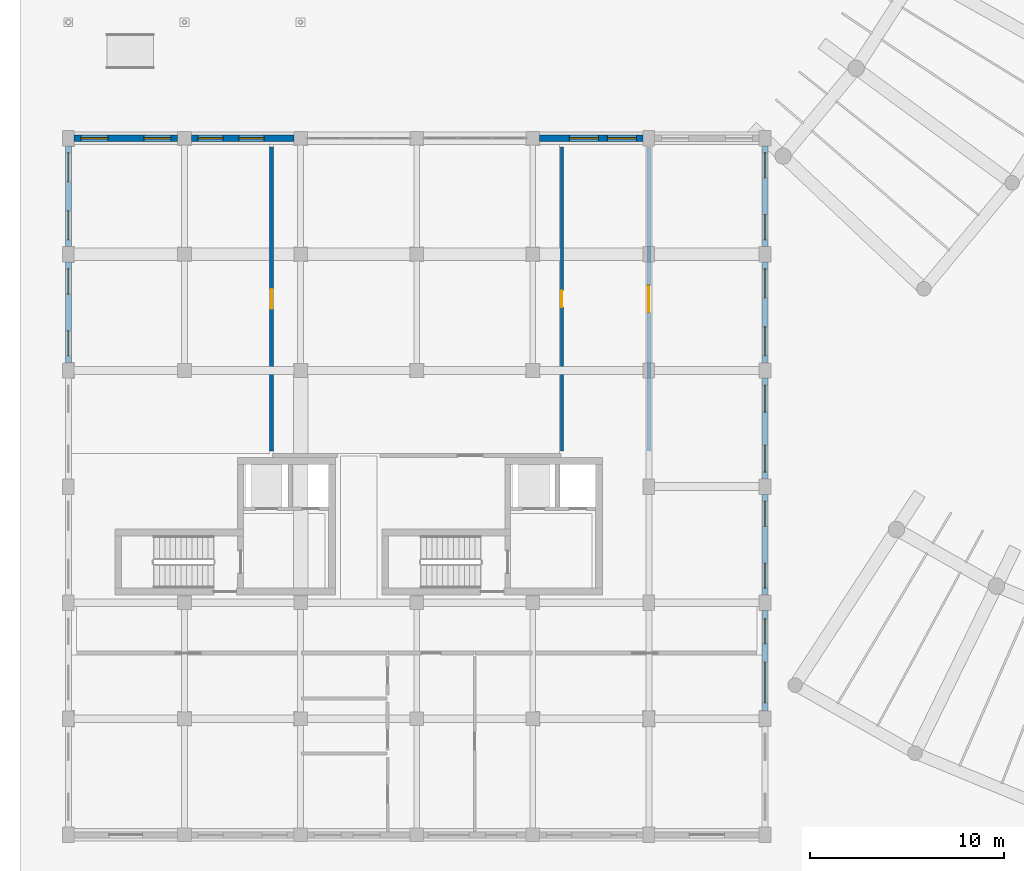
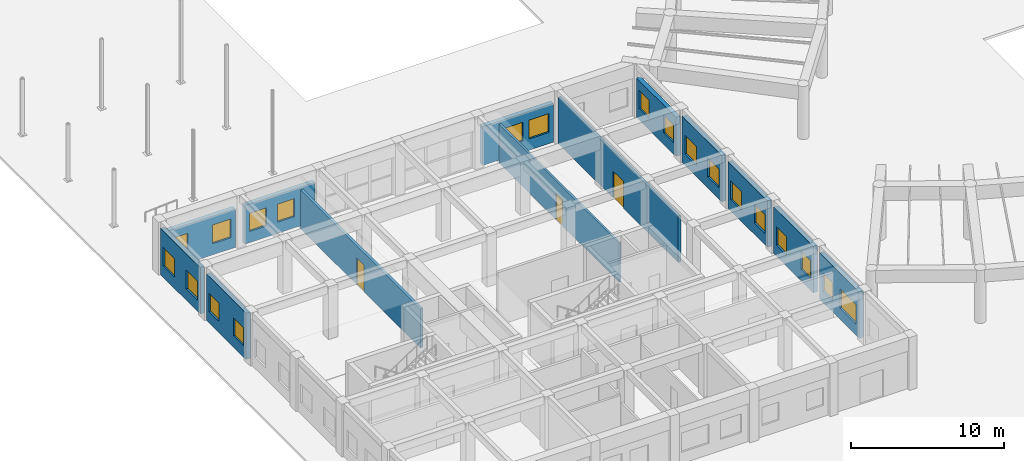
# One storey, part 49 of 76: 20 windows, 13 walls, 3 doors, 23 openings.
"""IFC4 building model written with IfcOpenShell, lengths in metres."""

from ifc_helpers import new_model, si_unit, direction, frame, frame_2d, origin, place, context, subcontext, project, spatial, rectangle, extrude, material, layer, layer_set, type_object, element, fill, save


model = new_model("IFC4")

# Units and contexts
model_context = context("Model", 3, precision=1e-05, world=origin(), true_north=direction((0.0, 1.0)))
body_context = subcontext(model_context, "Body", "Model", "MODEL_VIEW")
ifc_project = project(units=[si_unit("LENGTHUNIT", "METRE"), si_unit("AREAUNIT", "SQUARE_METRE"), si_unit("VOLUMEUNIT", "CUBIC_METRE"), si_unit("PLANEANGLEUNIT", "RADIAN"), si_unit("MASSUNIT", "GRAM", prefix="KILO"), si_unit("POWERUNIT", "WATT"), si_unit("THERMODYNAMICTEMPERATUREUNIT", "KELVIN")], contexts=[model_context])

# Site, building, storey
site_placement = place(None, origin())
site = spatial("IfcSite", under=ifc_project, at=site_placement, CompositionType="ELEMENT")
building_placement = place(site_placement, origin())
building = spatial("IfcBuilding", under=site, at=building_placement, Name="Ruvembo Vaulted Housing Court", CompositionType="ELEMENT")
storey_placement = place(building_placement, origin())
storey = spatial("IfcBuildingStorey", under=building, at=storey_placement, Name="L00", CompositionType="ELEMENT", Elevation=0.0)

# Wall, opening, door
ifc_material_1 = material(Name="Concrete Blockwork 200", Category="masonry")
ifc_layer_1 = layer(ifc_material_1, 0.199951171875, Name="Concrete Blockwork 200")
ifc_layer_set_1 = layer_set([ifc_layer_1], Name="Concrete Blockwork 200")
wall_type_1 = type_object("IfcWallType", Name="WL-CORR-200", PredefinedType="SOLIDWALL", material=ifc_layer_set_1)
wall_1_placement = place(storey_placement, frame((10.5, 25.840087890625, 0.0), z_axis=(0.0, 0.0, 1.0), x_axis=(0.0, 1.0, 0.0)))
wall_1 = element("IfcWall", 1, at=wall_1_placement, inside=storey, type_object=wall_type_1, Name="L00 Fire Command Centre WL-INT-L00-00091", PredefinedType="SOLIDWALL", context=body_context, shape_type="SweptSolid", body=[
    extrude(rectangle(XDim=15.719970703125, YDim=0.199951171875, at=frame_2d((7.85986328125, 0.0))), origin(), (0.0, 0.0, 1.0), 3.112060546875),
])
opening_1_placement = place(wall_1_placement, frame((7.360107421875, 0.0, 0.0)))
opening_1 = element("IfcOpeningElement", 2, at=opening_1_placement, cuts=wall_1, Name="Opening FD1", PredefinedType="OPENING", context=body_context, shape_type="SweptSolid", body=[
    extrude(rectangle(XDim=1.0, YDim=2.14990234375, at=frame_2d((0.5, 1.074951171875))), frame((0.0, 0.10986328125, 0.0), z_axis=(0.0, -1.0, 0.0), x_axis=(1.0, 0.0, 0.0)), (0.0, 0.0, 1.0), 0.219970703125),
])
ifc_material_2 = material(Name="FSC Hardwood and Engineered Timber", Category="wood")
door_type_1 = type_object("IfcDoorType", Name="DR-FLAT-1000x2150", OperationType="NOTDEFINED", PredefinedType="DOOR", material=ifc_material_2)
door_1_placement = place(opening_1_placement, origin())
door_1 = element("IfcDoor", 3, at=door_1_placement, inside=storey, type_object=door_type_1, Name="L00 Fire Command Centre Door DR-INT-L00-00036", OperationType="SINGLE_SWING_RIGHT", OverallHeight=2.14990234375, OverallWidth=1.0, PredefinedType="DOOR", context=body_context, shape_type="SweptSolid", body=[
    extrude(rectangle(XDim=1.0, YDim=2.14990234375, at=frame_2d((0.5, 1.074951171875))), frame((0.0, 0.02490234375, 0.0), z_axis=(0.0, -1.0, 0.0), x_axis=(1.0, 0.0, 0.0)), (0.0, 0.0, 1.0), 0.050048828125),
])
fill(opening_1, door_1)

wall_2_placement = place(storey_placement, frame((30.0, 25.840087890625, 0.0), z_axis=(0.0, 0.0, 1.0), x_axis=(0.0, 1.0, 0.0)))
wall_2 = element("IfcWall", 4, at=wall_2_placement, inside=storey, type_object=wall_type_1, Name="L00 Mobility Hub A WL-INT-L00-00093", PredefinedType="SOLIDWALL", context=body_context, shape_type="SweptSolid", body=[
    extrude(rectangle(XDim=15.719970703125, YDim=0.199951171875, at=frame_2d((7.85986328125, 0.0))), origin(), (0.0, 0.0, 1.0), 3.7119140625),
])
opening_2_placement = place(wall_2_placement, frame((7.159912109375, 0.0, 0.0)))
opening_2 = element("IfcOpeningElement", 5, at=opening_2_placement, cuts=wall_2, Name="Opening CD1", PredefinedType="OPENING", context=body_context, shape_type="SweptSolid", body=[
    extrude(rectangle(XDim=1.39990234375, YDim=2.14990234375, at=frame_2d((0.699951171875, 1.074951171875))), frame((0.0, 0.10986328125, 0.0), z_axis=(0.0, -1.0, 0.0), x_axis=(1.0, 0.0, 0.0)), (0.0, 0.0, 1.0), 0.219970703125),
])
door_type_2 = type_object("IfcDoorType", Name="DR-CIVIC-1400x2150", OperationType="NOTDEFINED", PredefinedType="DOOR", material=ifc_material_2)
door_2_placement = place(opening_2_placement, origin())
door_2 = element("IfcDoor", 6, at=door_2_placement, inside=storey, type_object=door_type_2, Name="L00 Mobility Hub A Door DR-INT-L00-00038", OperationType="SINGLE_SWING_RIGHT", OverallHeight=2.14990234375, OverallWidth=1.39990234375, PredefinedType="DOOR", context=body_context, shape_type="SweptSolid", body=[
    extrude(rectangle(XDim=1.39990234375, YDim=2.14990234375, at=frame_2d((0.699951171875, 1.074951171875))), frame((0.0, 0.02490234375, 0.0), z_axis=(0.0, -1.0, 0.0), x_axis=(1.0, 0.0, 0.0)), (0.0, 0.0, 1.0), 0.050048828125),
])
fill(opening_2, door_2)

# Wall, openings, windows
ifc_material_3 = material(Name="Rendered Masonry 320", Category="masonry")
ifc_layer_2 = layer(ifc_material_3, 0.320068359375, Name="Rendered Masonry 320")
ifc_layer_set_2 = layer_set([ifc_layer_2], Name="Rendered Masonry 320")
wall_type_2 = type_object("IfcWallType", Name="WL-EXT-320", PredefinedType="STANDARD", material=ifc_layer_set_2)
wall_3_placement = place(storey_placement, frame((36.0, 12.39990234375, 0.0), z_axis=(0.0, 0.0, 1.0), x_axis=(0.0, 1.0, 0.0)))
wall_3 = element("IfcWall", 7, at=wall_3_placement, inside=storey, type_object=wall_type_2, Name="Block A L00 Exterior Wall EAST #2", PredefinedType="STANDARD", context=body_context, shape_type="SweptSolid", body=[
    extrude(rectangle(XDim=5.2001953125, YDim=0.320068359375, at=frame_2d((2.60009765625, 0.0))), origin(), (0.0, 0.0, 1.0), 3.7119140625),
])
opening_3_placement = place(wall_3_placement, frame((0.429931640625, 0.0, 0.89990234375)))
opening_3 = element("IfcOpeningElement", 8, at=opening_3_placement, cuts=wall_3, Name="Opening W25", PredefinedType="OPENING", context=body_context, shape_type="SweptSolid", body=[
    extrude(rectangle(XDim=2.10009765625, YDim=1.550048828125, at=frame_2d((1.050048828125, 0.77490234375))), frame((0.0, 0.169921875, 0.0), z_axis=(0.0, -1.0, 0.0), x_axis=(1.0, 0.0, 0.0)), (0.0, 0.0, 1.0), 0.340087890625),
])
opening_4_placement = place(wall_3_placement, frame((3.469970703125, 0.0, 0.89990234375)))
opening_4 = element("IfcOpeningElement", 9, at=opening_4_placement, cuts=wall_3, Name="Opening W15", PredefinedType="OPENING", context=body_context, shape_type="SweptSolid", body=[
    extrude(rectangle(XDim=1.300048828125, YDim=1.449951171875, at=frame_2d((0.64990234375, 0.72509765625))), frame((0.0, 0.169921875, 0.0), z_axis=(0.0, -1.0, 0.0), x_axis=(1.0, 0.0, 0.0)), (0.0, 0.0, 1.0), 0.340087890625),
])
ifc_material_4 = material(Name="Double Solar-Control Glazing in Aluminium Frame", Category="aluminium")
window_type_1 = type_object("IfcWindowType", Name="WIN-1300x1450", PartitioningType="SINGLE_PANEL", PredefinedType="WINDOW", material=ifc_material_4)
window_1_placement = place(opening_4_placement, origin())
window_1 = element("IfcWindow", 10, at=window_1_placement, inside=storey, type_object=window_type_1, Name="Block A L00 Window #12", OverallHeight=1.449951171875, OverallWidth=1.300048828125, PartitioningType="SINGLE_PANEL", PredefinedType="WINDOW", context=body_context, shape_type="SweptSolid", body=[
    extrude(rectangle(XDim=1.300048828125, YDim=1.449951171875, at=frame_2d((0.64990234375, 0.72509765625))), frame((0.0, 0.030029296875, 0.0), z_axis=(0.0, -1.0, 0.0), x_axis=(1.0, 0.0, 0.0)), (0.0, 0.0, 1.0), 0.06005859375),
])
fill(opening_4, window_1)
window_type_2 = type_object("IfcWindowType", Name="WIN-2100x1550", PartitioningType="SINGLE_PANEL", PredefinedType="WINDOW", material=ifc_material_4)
window_2_placement = place(opening_3_placement, origin())
window_2 = element("IfcWindow", 11, at=window_2_placement, inside=storey, type_object=window_type_2, Name="Block A L00 Window #11", OverallHeight=1.550048828125, OverallWidth=2.10009765625, PartitioningType="SINGLE_PANEL", PredefinedType="WINDOW", context=body_context, shape_type="SweptSolid", body=[
    extrude(rectangle(XDim=2.10009765625, YDim=1.550048828125, at=frame_2d((1.050048828125, 0.77490234375))), frame((0.0, 0.030029296875, 0.0), z_axis=(0.0, -1.0, 0.0), x_axis=(1.0, 0.0, 0.0)), (0.0, 0.0, 1.0), 0.06005859375),
])
fill(opening_3, window_2)

wall_4_placement = place(storey_placement, frame((36.0, 18.39990234375, 0.0), z_axis=(0.0, 0.0, 1.0), x_axis=(0.0, 1.0, 0.0)))
wall_4 = element("IfcWall", 12, at=wall_4_placement, inside=storey, type_object=wall_type_2, Name="Block A L00 Exterior Wall EAST #3", PredefinedType="STANDARD", context=body_context, shape_type="SweptSolid", body=[
    extrude(rectangle(XDim=5.2001953125, YDim=0.320068359375, at=frame_2d((2.60009765625, 0.0))), origin(), (0.0, 0.0, 1.0), 3.7119140625),
])
opening_5_placement = place(wall_4_placement, frame((0.35009765625, 0.0, 0.89990234375)))
opening_5 = element("IfcOpeningElement", 13, at=opening_5_placement, cuts=wall_4, Name="Opening W15", PredefinedType="OPENING", context=body_context, shape_type="SweptSolid", body=[
    extrude(rectangle(XDim=1.300048828125, YDim=1.449951171875, at=frame_2d((0.64990234375, 0.72509765625))), frame((0.0, 0.169921875, 0.0), z_axis=(0.0, -1.0, 0.0), x_axis=(1.0, 0.0, 0.0)), (0.0, 0.0, 1.0), 0.340087890625),
])
opening_6_placement = place(wall_4_placement, frame((3.550048828125, 0.0, 0.89990234375)))
opening_6 = element("IfcOpeningElement", 14, at=opening_6_placement, cuts=wall_4, Name="Opening W15", PredefinedType="OPENING", context=body_context, shape_type="SweptSolid", body=[
    extrude(rectangle(XDim=1.300048828125, YDim=1.449951171875, at=frame_2d((0.64990234375, 0.72509765625))), frame((0.0, 0.169921875, 0.0), z_axis=(0.0, -1.0, 0.0), x_axis=(1.0, 0.0, 0.0)), (0.0, 0.0, 1.0), 0.340087890625),
])
window_3_placement = place(opening_5_placement, origin())
window_3 = element("IfcWindow", 15, at=window_3_placement, inside=storey, type_object=window_type_1, Name="Block A L00 Window #13", OverallHeight=1.449951171875, OverallWidth=1.300048828125, PartitioningType="SINGLE_PANEL", PredefinedType="WINDOW", context=body_context, shape_type="SweptSolid", body=[
    extrude(rectangle(XDim=1.300048828125, YDim=1.449951171875, at=frame_2d((0.64990234375, 0.72509765625))), frame((0.0, 0.030029296875, 0.0), z_axis=(0.0, -1.0, 0.0), x_axis=(1.0, 0.0, 0.0)), (0.0, 0.0, 1.0), 0.06005859375),
])
fill(opening_5, window_3)
window_4_placement = place(opening_6_placement, origin())
window_4 = element("IfcWindow", 16, at=window_4_placement, inside=storey, type_object=window_type_1, Name="Block A L00 Window #14", OverallHeight=1.449951171875, OverallWidth=1.300048828125, PartitioningType="SINGLE_PANEL", PredefinedType="WINDOW", context=body_context, shape_type="SweptSolid", body=[
    extrude(rectangle(XDim=1.300048828125, YDim=1.449951171875, at=frame_2d((0.64990234375, 0.72509765625))), frame((0.0, 0.030029296875, 0.0), z_axis=(0.0, -1.0, 0.0), x_axis=(1.0, 0.0, 0.0)), (0.0, 0.0, 1.0), 0.06005859375),
])
fill(opening_6, window_4)

wall_5_placement = place(storey_placement, frame((36.0, 24.39990234375, 0.0), z_axis=(0.0, 0.0, 1.0), x_axis=(0.0, 1.0, 0.0)))
wall_5 = element("IfcWall", 17, at=wall_5_placement, inside=storey, type_object=wall_type_2, Name="Block A L00 Exterior Wall EAST #4", PredefinedType="STANDARD", context=body_context, shape_type="SweptSolid", body=[
    extrude(rectangle(XDim=5.2001953125, YDim=0.320068359375, at=frame_2d((2.60009765625, 0.0))), origin(), (0.0, 0.0, 1.0), 3.7119140625),
])
opening_7_placement = place(wall_5_placement, frame((0.35009765625, 0.0, 0.89990234375)))
opening_7 = element("IfcOpeningElement", 18, at=opening_7_placement, cuts=wall_5, Name="Opening W17", PredefinedType="OPENING", context=body_context, shape_type="SweptSolid", body=[
    extrude(rectangle(XDim=1.39990234375, YDim=1.5, at=frame_2d((0.699951171875, 0.75))), frame((0.0, 0.169921875, 0.0), z_axis=(0.0, -1.0, 0.0), x_axis=(1.0, 0.0, 0.0)), (0.0, 0.0, 1.0), 0.340087890625),
])
opening_8_placement = place(wall_5_placement, frame((3.449951171875, 0.0, 0.89990234375)))
opening_8 = element("IfcOpeningElement", 19, at=opening_8_placement, cuts=wall_5, Name="Opening W17", PredefinedType="OPENING", context=body_context, shape_type="SweptSolid", body=[
    extrude(rectangle(XDim=1.39990234375, YDim=1.5, at=frame_2d((0.699951171875, 0.75))), frame((0.0, 0.169921875, 0.0), z_axis=(0.0, -1.0, 0.0), x_axis=(1.0, 0.0, 0.0)), (0.0, 0.0, 1.0), 0.340087890625),
])
window_type_3 = type_object("IfcWindowType", Name="WIN-1400x1500", PartitioningType="SINGLE_PANEL", PredefinedType="WINDOW", material=ifc_material_4)
window_5_placement = place(opening_7_placement, origin())
window_5 = element("IfcWindow", 20, at=window_5_placement, inside=storey, type_object=window_type_3, Name="Block A L00 Window #15", OverallHeight=1.5, OverallWidth=1.39990234375, PartitioningType="SINGLE_PANEL", PredefinedType="WINDOW", context=body_context, shape_type="SweptSolid", body=[
    extrude(rectangle(XDim=1.39990234375, YDim=1.5, at=frame_2d((0.699951171875, 0.75))), frame((0.0, 0.030029296875, 0.0), z_axis=(0.0, -1.0, 0.0), x_axis=(1.0, 0.0, 0.0)), (0.0, 0.0, 1.0), 0.06005859375),
])
fill(opening_7, window_5)
window_6_placement = place(opening_8_placement, origin())
window_6 = element("IfcWindow", 21, at=window_6_placement, inside=storey, type_object=window_type_3, Name="Block A L00 Window #16", OverallHeight=1.5, OverallWidth=1.39990234375, PartitioningType="SINGLE_PANEL", PredefinedType="WINDOW", context=body_context, shape_type="SweptSolid", body=[
    extrude(rectangle(XDim=1.39990234375, YDim=1.5, at=frame_2d((0.699951171875, 0.75))), frame((0.0, 0.030029296875, 0.0), z_axis=(0.0, -1.0, 0.0), x_axis=(1.0, 0.0, 0.0)), (0.0, 0.0, 1.0), 0.06005859375),
])
fill(opening_8, window_6)

wall_6_placement = place(storey_placement, frame((36.0, 30.39990234375, 0.0), z_axis=(0.0, 0.0, 1.0), x_axis=(0.0, 1.0, 0.0)))
wall_6 = element("IfcWall", 22, at=wall_6_placement, inside=storey, type_object=wall_type_2, Name="Block A L00 Exterior Wall EAST #5", PredefinedType="STANDARD", context=body_context, shape_type="SweptSolid", body=[
    extrude(rectangle(XDim=5.2001953125, YDim=0.320068359375, at=frame_2d((2.60009765625, 0.0))), origin(), (0.0, 0.0, 1.0), 3.7119140625),
])
opening_9_placement = place(wall_6_placement, frame((0.35009765625, 0.0, 0.89990234375)))
opening_9 = element("IfcOpeningElement", 23, at=opening_9_placement, cuts=wall_6, Name="Opening W19", PredefinedType="OPENING", context=body_context, shape_type="SweptSolid", body=[
    extrude(rectangle(XDim=1.5, YDim=1.5, at=frame_2d((0.75, 0.75))), frame((0.0, 0.169921875, 0.0), z_axis=(0.0, -1.0, 0.0), x_axis=(1.0, 0.0, 0.0)), (0.0, 0.0, 1.0), 0.340087890625),
])
opening_10_placement = place(wall_6_placement, frame((3.35009765625, 0.0, 0.89990234375)))
opening_10 = element("IfcOpeningElement", 24, at=opening_10_placement, cuts=wall_6, Name="Opening W19", PredefinedType="OPENING", context=body_context, shape_type="SweptSolid", body=[
    extrude(rectangle(XDim=1.5, YDim=1.5, at=frame_2d((0.75, 0.75))), frame((0.0, 0.169921875, 0.0), z_axis=(0.0, -1.0, 0.0), x_axis=(1.0, 0.0, 0.0)), (0.0, 0.0, 1.0), 0.340087890625),
])
window_type_4 = type_object("IfcWindowType", Name="WIN-1500x1500", PartitioningType="SINGLE_PANEL", PredefinedType="WINDOW", material=ifc_material_4)
window_7_placement = place(opening_9_placement, origin())
window_7 = element("IfcWindow", 25, at=window_7_placement, inside=storey, type_object=window_type_4, Name="Block A L00 Window #17", OverallHeight=1.5, OverallWidth=1.5, PartitioningType="SINGLE_PANEL", PredefinedType="WINDOW", context=body_context, shape_type="SweptSolid", body=[
    extrude(rectangle(XDim=1.5, YDim=1.5, at=frame_2d((0.75, 0.75))), frame((0.0, 0.030029296875, 0.0), z_axis=(0.0, -1.0, 0.0), x_axis=(1.0, 0.0, 0.0)), (0.0, 0.0, 1.0), 0.06005859375),
])
fill(opening_9, window_7)
window_8_placement = place(opening_10_placement, origin())
window_8 = element("IfcWindow", 26, at=window_8_placement, inside=storey, type_object=window_type_4, Name="Block A L00 Window #18", OverallHeight=1.5, OverallWidth=1.5, PartitioningType="SINGLE_PANEL", PredefinedType="WINDOW", context=body_context, shape_type="SweptSolid", body=[
    extrude(rectangle(XDim=1.5, YDim=1.5, at=frame_2d((0.75, 0.75))), frame((0.0, 0.030029296875, 0.0), z_axis=(0.0, -1.0, 0.0), x_axis=(1.0, 0.0, 0.0)), (0.0, 0.0, 1.0), 0.06005859375),
])
fill(opening_10, window_8)

wall_7_placement = place(storey_placement, frame((36.0, 36.39990234375, 0.0), z_axis=(0.0, 0.0, 1.0), x_axis=(0.0, 1.0, 0.0)))
wall_7 = element("IfcWall", 27, at=wall_7_placement, inside=storey, type_object=wall_type_2, Name="Block A L00 Exterior Wall EAST #6", PredefinedType="STANDARD", context=body_context, shape_type="SweptSolid", body=[
    extrude(rectangle(XDim=5.2001953125, YDim=0.320068359375, at=frame_2d((2.60009765625, 0.0))), origin(), (0.0, 0.0, 1.0), 3.1298828125),
])
opening_11_placement = place(wall_7_placement, frame((0.35009765625, 0.0, 0.89990234375)))
opening_11 = element("IfcOpeningElement", 28, at=opening_11_placement, cuts=wall_7, Name="Opening W15", PredefinedType="OPENING", context=body_context, shape_type="SweptSolid", body=[
    extrude(rectangle(XDim=1.300048828125, YDim=1.449951171875, at=frame_2d((0.64990234375, 0.72509765625))), frame((0.0, 0.169921875, 0.0), z_axis=(0.0, -1.0, 0.0), x_axis=(1.0, 0.0, 0.0)), (0.0, 0.0, 1.0), 0.340087890625),
])
opening_12_placement = place(wall_7_placement, frame((3.550048828125, 0.0, 0.89990234375)))
opening_12 = element("IfcOpeningElement", 29, at=opening_12_placement, cuts=wall_7, Name="Opening W15", PredefinedType="OPENING", context=body_context, shape_type="SweptSolid", body=[
    extrude(rectangle(XDim=1.300048828125, YDim=1.449951171875, at=frame_2d((0.64990234375, 0.72509765625))), frame((0.0, 0.169921875, 0.0), z_axis=(0.0, -1.0, 0.0), x_axis=(1.0, 0.0, 0.0)), (0.0, 0.0, 1.0), 0.340087890625),
])
window_9_placement = place(opening_11_placement, origin())
window_9 = element("IfcWindow", 30, at=window_9_placement, inside=storey, type_object=window_type_1, Name="Block A L00 Window #19", OverallHeight=1.449951171875, OverallWidth=1.300048828125, PartitioningType="SINGLE_PANEL", PredefinedType="WINDOW", context=body_context, shape_type="SweptSolid", body=[
    extrude(rectangle(XDim=1.300048828125, YDim=1.449951171875, at=frame_2d((0.64990234375, 0.72509765625))), frame((0.0, 0.030029296875, 0.0), z_axis=(0.0, -1.0, 0.0), x_axis=(1.0, 0.0, 0.0)), (0.0, 0.0, 1.0), 0.06005859375),
])
fill(opening_11, window_9)
window_10_placement = place(opening_12_placement, origin())
window_10 = element("IfcWindow", 31, at=window_10_placement, inside=storey, type_object=window_type_1, Name="Block A L00 Window #20", OverallHeight=1.449951171875, OverallWidth=1.300048828125, PartitioningType="SINGLE_PANEL", PredefinedType="WINDOW", context=body_context, shape_type="SweptSolid", body=[
    extrude(rectangle(XDim=1.300048828125, YDim=1.449951171875, at=frame_2d((0.64990234375, 0.72509765625))), frame((0.0, 0.030029296875, 0.0), z_axis=(0.0, -1.0, 0.0), x_axis=(1.0, 0.0, 0.0)), (0.0, 0.0, 1.0), 0.06005859375),
])
fill(opening_12, window_10)

wall_8_placement = place(storey_placement, frame((29.699951171875, 42.0, 0.0), z_axis=(0.0, 0.0, 1.0), x_axis=(-1.0, 0.0, 0.0)))
wall_8 = element("IfcWall", 32, at=wall_8_placement, inside=storey, type_object=wall_type_2, Name="Block A L00 Exterior Wall COURTYARD #2", PredefinedType="STANDARD", context=body_context, shape_type="SweptSolid", body=[
    extrude(rectangle(XDim=5.349853515625, YDim=0.320068359375, at=frame_2d((2.6748046875, 0.0))), origin(), (0.0, 0.0, 1.0), 3.112060546875),
])
opening_13_placement = place(wall_8_placement, frame((0.35009765625, 0.0, 0.89990234375)))
opening_13 = element("IfcOpeningElement", 33, at=opening_13_placement, cuts=wall_8, Name="Opening W19", PredefinedType="OPENING", context=body_context, shape_type="SweptSolid", body=[
    extrude(rectangle(XDim=1.5, YDim=1.5, at=frame_2d((0.75, 0.75))), frame((0.0, 0.169921875, 0.0), z_axis=(0.0, -1.0, 0.0), x_axis=(1.0, 0.0, 0.0)), (0.0, 0.0, 1.0), 0.340087890625),
])
opening_14_placement = place(wall_8_placement, frame((2.31005859375, 0.0, 0.89990234375)))
opening_14 = element("IfcOpeningElement", 34, at=opening_14_placement, cuts=wall_8, Name="Opening W19", PredefinedType="OPENING", context=body_context, shape_type="SweptSolid", body=[
    extrude(rectangle(XDim=1.5, YDim=1.5, at=frame_2d((0.75, 0.75))), frame((0.0, 0.169921875, 0.0), z_axis=(0.0, -1.0, 0.0), x_axis=(1.0, 0.0, 0.0)), (0.0, 0.0, 1.0), 0.340087890625),
])
window_11_placement = place(opening_13_placement, origin())
window_11 = element("IfcWindow", 35, at=window_11_placement, inside=storey, type_object=window_type_4, Name="Block A L00 Window #23", OverallHeight=1.5, OverallWidth=1.5, PartitioningType="SINGLE_PANEL", PredefinedType="WINDOW", context=body_context, shape_type="SweptSolid", body=[
    extrude(rectangle(XDim=1.5, YDim=1.5, at=frame_2d((0.75, 0.75))), frame((0.0, 0.030029296875, 0.0), z_axis=(0.0, -1.0, 0.0), x_axis=(1.0, 0.0, 0.0)), (0.0, 0.0, 1.0), 0.06005859375),
])
fill(opening_13, window_11)
window_12_placement = place(opening_14_placement, origin())
window_12 = element("IfcWindow", 36, at=window_12_placement, inside=storey, type_object=window_type_4, Name="Block A L00 Window #24", OverallHeight=1.5, OverallWidth=1.5, PartitioningType="SINGLE_PANEL", PredefinedType="WINDOW", context=body_context, shape_type="SweptSolid", body=[
    extrude(rectangle(XDim=1.5, YDim=1.5, at=frame_2d((0.75, 0.75))), frame((0.0, 0.030029296875, 0.0), z_axis=(0.0, -1.0, 0.0), x_axis=(1.0, 0.0, 0.0)), (0.0, 0.0, 1.0), 0.06005859375),
])
fill(opening_14, window_12)

wall_9_placement = place(storey_placement, frame((11.64990234375, 42.0, 0.0), z_axis=(0.0, 0.0, 1.0), x_axis=(-1.0, 0.0, 0.0)))
wall_9 = element("IfcWall", 37, at=wall_9_placement, inside=storey, type_object=wall_type_2, Name="Block A L00 Exterior Wall COURTYARD #5", PredefinedType="STANDARD", context=body_context, shape_type="SweptSolid", body=[
    extrude(rectangle(XDim=5.2998046875, YDim=0.320068359375, at=frame_2d((2.64990234375, 0.0))), origin(), (0.0, 0.0, 1.0), 3.112060546875),
])
opening_15_placement = place(wall_9_placement, frame((1.5400390625, 0.0, 0.89990234375)))
opening_15 = element("IfcOpeningElement", 38, at=opening_15_placement, cuts=wall_9, Name="Opening W15", PredefinedType="OPENING", context=body_context, shape_type="SweptSolid", body=[
    extrude(rectangle(XDim=1.300048828125, YDim=1.449951171875, at=frame_2d((0.64990234375, 0.72509765625))), frame((0.0, 0.169921875, 0.0), z_axis=(0.0, -1.0, 0.0), x_axis=(1.0, 0.0, 0.0)), (0.0, 0.0, 1.0), 0.340087890625),
])
opening_16_placement = place(wall_9_placement, frame((3.64990234375, 0.0, 0.89990234375)))
opening_16 = element("IfcOpeningElement", 39, at=opening_16_placement, cuts=wall_9, Name="Opening W15", PredefinedType="OPENING", context=body_context, shape_type="SweptSolid", body=[
    extrude(rectangle(XDim=1.300048828125, YDim=1.449951171875, at=frame_2d((0.64990234375, 0.72509765625))), frame((0.0, 0.169921875, 0.0), z_axis=(0.0, -1.0, 0.0), x_axis=(1.0, 0.0, 0.0)), (0.0, 0.0, 1.0), 0.340087890625),
])
window_13_placement = place(opening_15_placement, origin())
window_13 = element("IfcWindow", 40, at=window_13_placement, inside=storey, type_object=window_type_1, Name="Block A L00 Window #25", OverallHeight=1.449951171875, OverallWidth=1.300048828125, PartitioningType="SINGLE_PANEL", PredefinedType="WINDOW", context=body_context, shape_type="SweptSolid", body=[
    extrude(rectangle(XDim=1.300048828125, YDim=1.449951171875, at=frame_2d((0.64990234375, 0.72509765625))), frame((0.0, 0.030029296875, 0.0), z_axis=(0.0, -1.0, 0.0), x_axis=(1.0, 0.0, 0.0)), (0.0, 0.0, 1.0), 0.06005859375),
])
fill(opening_15, window_13)
window_14_placement = place(opening_16_placement, origin())
window_14 = element("IfcWindow", 41, at=window_14_placement, inside=storey, type_object=window_type_1, Name="Block A L00 Window #26", OverallHeight=1.449951171875, OverallWidth=1.300048828125, PartitioningType="SINGLE_PANEL", PredefinedType="WINDOW", context=body_context, shape_type="SweptSolid", body=[
    extrude(rectangle(XDim=1.300048828125, YDim=1.449951171875, at=frame_2d((0.64990234375, 0.72509765625))), frame((0.0, 0.030029296875, 0.0), z_axis=(0.0, -1.0, 0.0), x_axis=(1.0, 0.0, 0.0)), (0.0, 0.0, 1.0), 0.06005859375),
])
fill(opening_16, window_14)

wall_10_placement = place(storey_placement, frame((5.64990234375, 42.0, 0.0), z_axis=(0.0, 0.0, 1.0), x_axis=(-1.0, 0.0, 0.0)))
wall_10 = element("IfcWall", 42, at=wall_10_placement, inside=storey, type_object=wall_type_2, Name="Block A L00 Exterior Wall COURTYARD #6", PredefinedType="STANDARD", context=body_context, shape_type="SweptSolid", body=[
    extrude(rectangle(XDim=5.349853515625, YDim=0.320068359375, at=frame_2d((2.6748046875, 0.0))), origin(), (0.0, 0.0, 1.0), 3.112060546875),
])
opening_17_placement = place(wall_10_placement, frame((0.35009765625, 0.0, 0.89990234375)))
opening_17 = element("IfcOpeningElement", 43, at=opening_17_placement, cuts=wall_10, Name="Opening W17", PredefinedType="OPENING", context=body_context, shape_type="SweptSolid", body=[
    extrude(rectangle(XDim=1.39990234375, YDim=1.5, at=frame_2d((0.699951171875, 0.75))), frame((0.0, 0.169921875, 0.0), z_axis=(0.0, -1.0, 0.0), x_axis=(1.0, 0.0, 0.0)), (0.0, 0.0, 1.0), 0.340087890625),
])
opening_18_placement = place(wall_10_placement, frame((3.60009765625, 0.0, 0.89990234375)))
opening_18 = element("IfcOpeningElement", 44, at=opening_18_placement, cuts=wall_10, Name="Opening W17", PredefinedType="OPENING", context=body_context, shape_type="SweptSolid", body=[
    extrude(rectangle(XDim=1.39990234375, YDim=1.5, at=frame_2d((0.699951171875, 0.75))), frame((0.0, 0.169921875, 0.0), z_axis=(0.0, -1.0, 0.0), x_axis=(1.0, 0.0, 0.0)), (0.0, 0.0, 1.0), 0.340087890625),
])
window_15_placement = place(opening_17_placement, origin())
window_15 = element("IfcWindow", 45, at=window_15_placement, inside=storey, type_object=window_type_3, Name="Block A L00 Window #27", OverallHeight=1.5, OverallWidth=1.39990234375, PartitioningType="SINGLE_PANEL", PredefinedType="WINDOW", context=body_context, shape_type="SweptSolid", body=[
    extrude(rectangle(XDim=1.39990234375, YDim=1.5, at=frame_2d((0.699951171875, 0.75))), frame((0.0, 0.030029296875, 0.0), z_axis=(0.0, -1.0, 0.0), x_axis=(1.0, 0.0, 0.0)), (0.0, 0.0, 1.0), 0.06005859375),
])
fill(opening_17, window_15)
window_16_placement = place(opening_18_placement, origin())
window_16 = element("IfcWindow", 46, at=window_16_placement, inside=storey, type_object=window_type_3, Name="Block A L00 Window #28", OverallHeight=1.5, OverallWidth=1.39990234375, PartitioningType="SINGLE_PANEL", PredefinedType="WINDOW", context=body_context, shape_type="SweptSolid", body=[
    extrude(rectangle(XDim=1.39990234375, YDim=1.5, at=frame_2d((0.699951171875, 0.75))), frame((0.0, 0.030029296875, 0.0), z_axis=(0.0, -1.0, 0.0), x_axis=(1.0, 0.0, 0.0)), (0.0, 0.0, 1.0), 0.06005859375),
])
fill(opening_18, window_16)

wall_11_placement = place(storey_placement, frame((0.0, 41.60009765625, 0.0), z_axis=(0.0, 0.0, 1.0), x_axis=(0.0, -1.0, 0.0)))
wall_11 = element("IfcWall", 47, at=wall_11_placement, inside=storey, type_object=wall_type_2, Name="Block A L00 Exterior Wall WEST #1", PredefinedType="STANDARD", context=body_context, shape_type="SweptSolid", body=[
    extrude(rectangle(XDim=5.2001953125, YDim=0.320068359375, at=frame_2d((2.60009765625, 0.0))), origin(), (0.0, 0.0, 1.0), 3.7119140625),
])
opening_19_placement = place(wall_11_placement, frame((0.35009765625, 0.0, 0.89990234375)))
opening_19 = element("IfcOpeningElement", 48, at=opening_19_placement, cuts=wall_11, Name="Opening W19", PredefinedType="OPENING", context=body_context, shape_type="SweptSolid", body=[
    extrude(rectangle(XDim=1.5, YDim=1.5, at=frame_2d((0.75, 0.75))), frame((0.0, 0.169921875, 0.0), z_axis=(0.0, -1.0, 0.0), x_axis=(1.0, 0.0, 0.0)), (0.0, 0.0, 1.0), 0.340087890625),
])
opening_20_placement = place(wall_11_placement, frame((3.35009765625, 0.0, 0.89990234375)))
opening_20 = element("IfcOpeningElement", 49, at=opening_20_placement, cuts=wall_11, Name="Opening W19", PredefinedType="OPENING", context=body_context, shape_type="SweptSolid", body=[
    extrude(rectangle(XDim=1.5, YDim=1.5, at=frame_2d((0.75, 0.75))), frame((0.0, 0.169921875, 0.0), z_axis=(0.0, -1.0, 0.0), x_axis=(1.0, 0.0, 0.0)), (0.0, 0.0, 1.0), 0.340087890625),
])
window_17_placement = place(opening_19_placement, origin())
window_17 = element("IfcWindow", 50, at=window_17_placement, inside=storey, type_object=window_type_4, Name="Block A L00 Window #29", OverallHeight=1.5, OverallWidth=1.5, PartitioningType="SINGLE_PANEL", PredefinedType="WINDOW", context=body_context, shape_type="SweptSolid", body=[
    extrude(rectangle(XDim=1.5, YDim=1.5, at=frame_2d((0.75, 0.75))), frame((0.0, 0.030029296875, 0.0), z_axis=(0.0, -1.0, 0.0), x_axis=(1.0, 0.0, 0.0)), (0.0, 0.0, 1.0), 0.06005859375),
])
fill(opening_19, window_17)
window_18_placement = place(opening_20_placement, origin())
window_18 = element("IfcWindow", 51, at=window_18_placement, inside=storey, type_object=window_type_4, Name="Block A L00 Window #30", OverallHeight=1.5, OverallWidth=1.5, PartitioningType="SINGLE_PANEL", PredefinedType="WINDOW", context=body_context, shape_type="SweptSolid", body=[
    extrude(rectangle(XDim=1.5, YDim=1.5, at=frame_2d((0.75, 0.75))), frame((0.0, 0.030029296875, 0.0), z_axis=(0.0, -1.0, 0.0), x_axis=(1.0, 0.0, 0.0)), (0.0, 0.0, 1.0), 0.06005859375),
])
fill(opening_20, window_18)

wall_12_placement = place(storey_placement, frame((0.0, 35.60009765625, 0.0), z_axis=(0.0, 0.0, 1.0), x_axis=(0.0, -1.0, 0.0)))
wall_12 = element("IfcWall", 52, at=wall_12_placement, inside=storey, type_object=wall_type_2, Name="Block A L00 Exterior Wall WEST #2", PredefinedType="STANDARD", context=body_context, shape_type="SweptSolid", body=[
    extrude(rectangle(XDim=5.2001953125, YDim=0.320068359375, at=frame_2d((2.60009765625, 0.0))), origin(), (0.0, 0.0, 1.0), 3.7119140625),
])
opening_21_placement = place(wall_12_placement, frame((0.35009765625, 0.0, 0.89990234375)))
opening_21 = element("IfcOpeningElement", 53, at=opening_21_placement, cuts=wall_12, Name="Opening W15", PredefinedType="OPENING", context=body_context, shape_type="SweptSolid", body=[
    extrude(rectangle(XDim=1.300048828125, YDim=1.449951171875, at=frame_2d((0.64990234375, 0.72509765625))), frame((0.0, 0.169921875, 0.0), z_axis=(0.0, -1.0, 0.0), x_axis=(1.0, 0.0, 0.0)), (0.0, 0.0, 1.0), 0.340087890625),
])
opening_22_placement = place(wall_12_placement, frame((3.550048828125, 0.0, 0.89990234375)))
opening_22 = element("IfcOpeningElement", 54, at=opening_22_placement, cuts=wall_12, Name="Opening W15", PredefinedType="OPENING", context=body_context, shape_type="SweptSolid", body=[
    extrude(rectangle(XDim=1.300048828125, YDim=1.449951171875, at=frame_2d((0.64990234375, 0.72509765625))), frame((0.0, 0.169921875, 0.0), z_axis=(0.0, -1.0, 0.0), x_axis=(1.0, 0.0, 0.0)), (0.0, 0.0, 1.0), 0.340087890625),
])
window_19_placement = place(opening_21_placement, origin())
window_19 = element("IfcWindow", 55, at=window_19_placement, inside=storey, type_object=window_type_1, Name="Block A L00 Window #31", OverallHeight=1.449951171875, OverallWidth=1.300048828125, PartitioningType="SINGLE_PANEL", PredefinedType="WINDOW", context=body_context, shape_type="SweptSolid", body=[
    extrude(rectangle(XDim=1.300048828125, YDim=1.449951171875, at=frame_2d((0.64990234375, 0.72509765625))), frame((0.0, 0.030029296875, 0.0), z_axis=(0.0, -1.0, 0.0), x_axis=(1.0, 0.0, 0.0)), (0.0, 0.0, 1.0), 0.06005859375),
])
fill(opening_21, window_19)
window_20_placement = place(opening_22_placement, origin())
window_20 = element("IfcWindow", 56, at=window_20_placement, inside=storey, type_object=window_type_1, Name="Block A L00 Window #32", OverallHeight=1.449951171875, OverallWidth=1.300048828125, PartitioningType="SINGLE_PANEL", PredefinedType="WINDOW", context=body_context, shape_type="SweptSolid", body=[
    extrude(rectangle(XDim=1.300048828125, YDim=1.449951171875, at=frame_2d((0.64990234375, 0.72509765625))), frame((0.0, 0.030029296875, 0.0), z_axis=(0.0, -1.0, 0.0), x_axis=(1.0, 0.0, 0.0)), (0.0, 0.0, 1.0), 0.06005859375),
])
fill(opening_22, window_20)

# Wall, opening, door
ifc_material_5 = material(Name="Moisture-Resistant Wet Partition 150", Category="gypsum")
ifc_layer_3 = layer(ifc_material_5, 0.14990234375, Name="Moisture-Resistant Wet Partition 150")
ifc_layer_set_3 = layer_set([ifc_layer_3], Name="Moisture-Resistant Wet Partition 150")
wall_type_3 = type_object("IfcWallType", Name="WL-PART-150", PredefinedType="PARTITIONING", material=ifc_layer_set_3)
wall_13_placement = place(storey_placement, frame((25.5, 25.840087890625, 0.0), z_axis=(0.0, 0.0, 1.0), x_axis=(0.0, 1.0, 0.0)))
wall_13 = element("IfcWall", 57, at=wall_13_placement, inside=storey, type_object=wall_type_3, Name="L00 Block A Accessible WC WL-INT-L00-00092", PredefinedType="PARTITIONING", context=body_context, shape_type="SweptSolid", body=[
    extrude(rectangle(XDim=15.719970703125, YDim=0.14990234375, at=frame_2d((7.85986328125, 0.0))), origin(), (0.0, 0.0, 1.0), 3.112060546875),
])
opening_23_placement = place(wall_13_placement, frame((7.43505859375, 0.0, 0.0)))
opening_23 = element("IfcOpeningElement", 58, at=opening_23_placement, cuts=wall_13, Name="Opening ID2", PredefinedType="OPENING", context=body_context, shape_type="SweptSolid", body=[
    extrude(rectangle(XDim=0.85009765625, YDim=2.10009765625, at=frame_2d((0.425048828125, 1.050048828125))), frame((0.0, 0.0849609375, 0.0), z_axis=(0.0, -1.0, 0.0), x_axis=(1.0, 0.0, 0.0)), (0.0, 0.0, 1.0), 0.169921875),
])
door_type_3 = type_object("IfcDoorType", Name="DR-WET-0850x2100", OperationType="NOTDEFINED", PredefinedType="DOOR", material=ifc_material_2)
door_3_placement = place(opening_23_placement, origin())
door_3 = element("IfcDoor", 59, at=door_3_placement, inside=storey, type_object=door_type_3, Name="L00 Block A Accessible WC Door DR-INT-L00-00037", OperationType="SINGLE_SWING_LEFT", OverallHeight=2.10009765625, OverallWidth=0.85009765625, PredefinedType="DOOR", context=body_context, shape_type="SweptSolid", body=[
    extrude(rectangle(XDim=0.85009765625, YDim=2.10009765625, at=frame_2d((0.425048828125, 1.050048828125))), frame((0.0, 0.02490234375, 0.0), z_axis=(0.0, -1.0, 0.0), x_axis=(1.0, 0.0, 0.0)), (0.0, 0.0, 1.0), 0.050048828125),
])
fill(opening_23, door_3)

save(model, "model.ifc")
